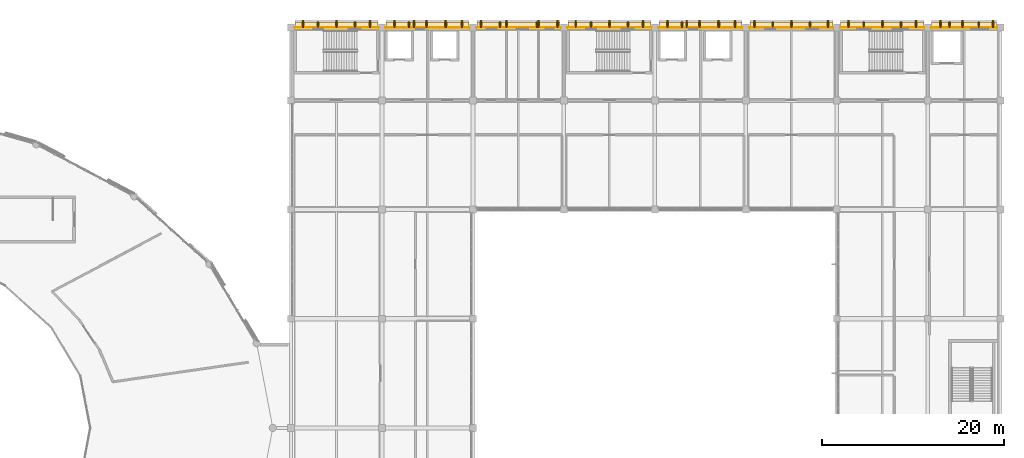
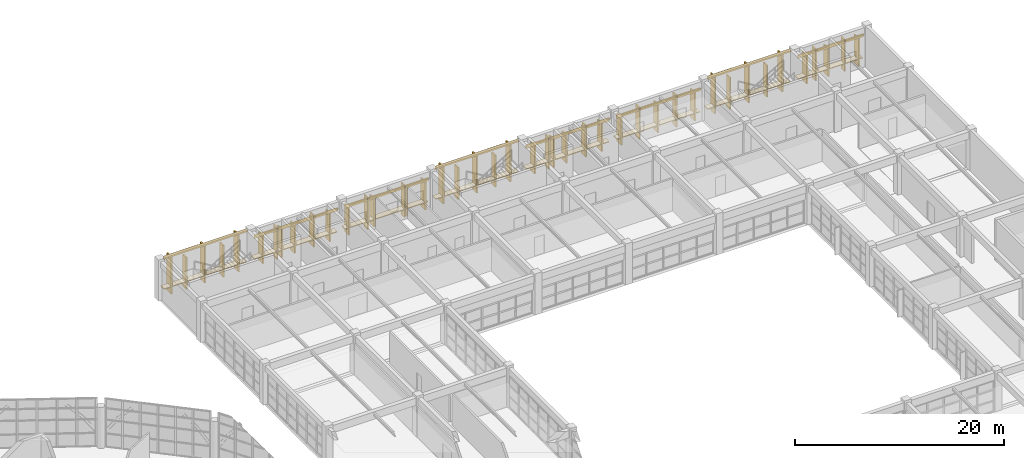
# One storey, part 109 of 109: 45 coverings, 16 shading devices.
"""IFC4 building model written with IfcOpenShell, lengths in metres."""

from ifc_helpers import new_model, si_unit, direction, frame, frame_2d, origin, origin_2d, place, context, subcontext, project, spatial, rectangle, extrude, material, layer, layer_set, type_object, element, save


model = new_model("IFC4")

# Units and contexts
model_context = context("Model", 3, precision=1e-05, world=origin(), true_north=direction((0.0, 1.0)))
body_context = subcontext(model_context, "Body", "Model", "MODEL_VIEW")
ifc_project = project(units=[si_unit("LENGTHUNIT", "METRE"), si_unit("AREAUNIT", "SQUARE_METRE"), si_unit("VOLUMEUNIT", "CUBIC_METRE"), si_unit("PLANEANGLEUNIT", "RADIAN"), si_unit("MASSUNIT", "GRAM", prefix="KILO")], contexts=[model_context])

# Site, building, storey
site_placement = place(None, origin())
site = spatial("IfcSite", under=ifc_project, at=site_placement, CompositionType="ELEMENT")
building_placement = place(site_placement, origin())
building = spatial("IfcBuilding", under=site, at=building_placement, Name="Kivolera Central Railway Station", CompositionType="ELEMENT")
storey_placement = place(building_placement, frame((0.0, 0.0, 9.60009765625)))
storey = spatial("IfcBuildingStorey", under=building, at=storey_placement, Name="L02", CompositionType="ELEMENT", Elevation=9.60009765625)

# Shading devices
ifc_material_1 = material(Name="Precast concrete C40/50", Category="concrete")
shading_device_type = type_object("IfcShadingDeviceType", Name="BS-FIN-L02", PredefinedType="USERDEFINED", material=ifc_material_1)
for number, where, z_axis, x_axis, name in (
    (1, (120.962890625, 134.33203125, 0.0), (0.0, 0.0, 1.0), (1.0, 0.0, 0.0), "L02 North Brise-Soleil Fin 1.1"),
    (2, (125.037109375, 134.33203125, 0.0), (0.0, 0.0, 1.0), (1.0, 0.0, 0.0), "L02 North Brise-Soleil Fin 1.2"),
    (3, (130.962890625, 134.33203125, 0.0), (0.0, 0.0, 1.0), (1.0, 0.0, 0.0), "L02 North Brise-Soleil Fin 2.1"),
    (4, (135.037109375, 134.33203125, 0.0), (0.0, 0.0, 1.0), (1.0, 0.0, 0.0), "L02 North Brise-Soleil Fin 2.2"),
    (5, (140.962890625, 134.33203125, 0.0), (0.0, 0.0, 1.0), (1.0, 0.0, 0.0), "L02 North Brise-Soleil Fin 3.1"),
    (6, (145.037109375, 134.33203125, 0.0), (0.0, 0.0, 1.0), (1.0, 0.0, 0.0), "L02 North Brise-Soleil Fin 3.2"),
    (7, (150.962890625, 134.33203125, 0.0), (0.0, 0.0, 1.0), (1.0, 0.0, 0.0), "L02 North Brise-Soleil Fin 4.1"),
    (8, (155.037109375, 134.33203125, 0.0), (0.0, 0.0, 1.0), (1.0, 0.0, 0.0), "L02 North Brise-Soleil Fin 4.2"),
    (9, (160.962890625, 134.33203125, 0.0), (0.0, 0.0, 1.0), (1.0, 0.0, 0.0), "L02 North Brise-Soleil Fin 5.1"),
    (10, (165.037109375, 134.33203125, 0.0), (0.0, 0.0, 1.0), (1.0, 0.0, 0.0), "L02 North Brise-Soleil Fin 5.2"),
    (11, (170.962890625, 134.33203125, 0.0), (0.0, 0.0, 1.0), (1.0, 0.0, 0.0), "L02 North Brise-Soleil Fin 6.1"),
    (12, (175.037109375, 134.33203125, 0.0), (0.0, 0.0, 1.0), (1.0, 0.0, 0.0), "L02 North Brise-Soleil Fin 6.2"),
    (13, (180.962890625, 134.33203125, 0.0), (0.0, 0.0, 1.0), (1.0, 0.0, 0.0), "L02 North Brise-Soleil Fin 7.1"),
    (14, (185.037109375, 134.33203125, 0.0), (0.0, 0.0, 1.0), (1.0, 0.0, 0.0), "L02 North Brise-Soleil Fin 7.2"),
    (15, (190.403076171875, 134.33203125, 0.0), (0.0, 0.0, 1.0), (1.0, 0.0, 0.0), "L02 North Brise-Soleil Fin 8.1"),
    (16, (193.596923828125, 134.33203125, 0.0), (0.0, 0.0, 1.0), (1.0, 0.0, 0.0), "L02 North Brise-Soleil Fin 8.2"),
):
    element("IfcShadingDevice", number, at=place(storey_placement, frame(where, z_axis=z_axis, x_axis=x_axis)), inside=storey, type_object=shading_device_type, Name=name, ObjectType="FIN", PredefinedType="USERDEFINED", context=body_context, shape_type="SweptSolid", body=[
        extrude(rectangle(XDim=0.14990234375, YDim=0.679931640625, at=origin_2d()), origin(), (0.0, 0.0, 1.0), 3.699951171875),
    ])

# Coverings
ifc_layer_1 = layer(ifc_material_1, 0.090087890625, Name="Precast concrete C40/50")
ifc_layer_set_1 = layer_set([ifc_layer_1], Name="Precast concrete C40/50")
covering_type_1 = type_object("IfcCoveringType", Name="COV-CLAUSTRA-90", PredefinedType="CLADDING", material=ifc_layer_set_1)
for number, where, z_axis, x_axis, name in (
    (17, (123.0, 134.31298828125, 0.85498046875), (0.0, 0.0, 1.0), (1.0, 0.0, 0.0), "L02 North Precast Egg-Crate Sill Shelf 1"),
    (18, (133.0, 134.31298828125, 0.85498046875), (0.0, 0.0, 1.0), (1.0, 0.0, 0.0), "L02 North Precast Egg-Crate Sill Shelf 2"),
    (19, (143.0, 134.31298828125, 0.85498046875), (0.0, 0.0, 1.0), (1.0, 0.0, 0.0), "L02 North Precast Egg-Crate Sill Shelf 3"),
    (20, (153.0, 134.31298828125, 0.85498046875), (0.0, 0.0, 1.0), (1.0, 0.0, 0.0), "L02 North Precast Egg-Crate Sill Shelf 4"),
    (21, (163.0, 134.31298828125, 0.85498046875), (0.0, 0.0, 1.0), (1.0, 0.0, 0.0), "L02 North Precast Egg-Crate Sill Shelf 5"),
    (22, (173.0, 134.31298828125, 0.85498046875), (0.0, 0.0, 1.0), (1.0, 0.0, 0.0), "L02 North Precast Egg-Crate Sill Shelf 6"),
    (23, (183.0, 134.31298828125, 0.85498046875), (0.0, 0.0, 1.0), (1.0, 0.0, 0.0), "L02 North Precast Egg-Crate Sill Shelf 7"),
):
    element("IfcCovering", number, at=place(storey_placement, frame(where, z_axis=z_axis, x_axis=x_axis)), inside=storey, type_object=covering_type_1, Name=name, PredefinedType="CLADDING", context=body_context, shape_type="SweptSolid", body=[
        extrude(rectangle(XDim=9.139892578125, YDim=0.64990234375, at=origin_2d()), origin(), (0.0, 0.0, 1.0), 0.090087890625),
    ])
covering_1_placement = place(storey_placement, frame((192.0, 134.31298828125, 0.85498046875), z_axis=(0.0, 0.0, 1.0), x_axis=(1.0, 0.0, 0.0)))
element("IfcCovering", 24, at=covering_1_placement, inside=storey, type_object=covering_type_1, Name="L02 North Precast Egg-Crate Sill Shelf 8", PredefinedType="CLADDING", context=body_context, shape_type="SweptSolid", body=[
    extrude(rectangle(XDim=7.139892578125, YDim=0.64990234375, at=origin_2d()), origin(), (0.0, 0.0, 1.0), 0.090087890625),
])
ifc_material_2 = material(Name="Swahili coral limestone", Category="masonry")
ifc_layer_2 = layer(ifc_material_2, 0.159912109375, Name="Swahili coral limestone")
ifc_layer_set_2 = layer_set([ifc_layer_2], Name="Swahili coral limestone")
covering_type_2 = type_object("IfcCoveringType", Name="COV-EGGFIN-160", PredefinedType="CLADDING", material=ifc_layer_set_2)
for number, where, z_axis, x_axis, name in (
    (25, (119.300048828125, 134.4130859375, 0.0400390625), (0.0, 0.0, 1.0), (1.0, 0.0, 0.0), "L02 North Afro-Modernist Coral-Stone Sun-Fin 1.1"),
    (26, (123.0, 134.4130859375, 0.0400390625), (0.0, 0.0, 1.0), (1.0, 0.0, 0.0), "L02 North Afro-Modernist Coral-Stone Sun-Fin 1.2"),
    (27, (126.699951171875, 134.4130859375, 0.0400390625), (0.0, 0.0, 1.0), (1.0, 0.0, 0.0), "L02 North Afro-Modernist Coral-Stone Sun-Fin 1.3"),
):
    element("IfcCovering", number, at=place(storey_placement, frame(where, z_axis=z_axis, x_axis=x_axis)), inside=storey, type_object=covering_type_2, Name=name, PredefinedType="CLADDING", context=body_context, shape_type="SweptSolid", body=[
        extrude(rectangle(XDim=0.159912109375, YDim=0.85009765625, at=origin_2d()), origin(), (0.0, 0.0, 1.0), 4.320068359375),
    ])
for number, where, z_axis, x_axis, name in (
    (28, (129.39990234375, 134.4130859375, 0.0400390625), (0.0, 0.0, 1.0), (1.0, 0.0, 0.0), "L02 North Afro-Modernist Coral-Stone Sun-Fin 2.1"),
    (29, (131.5, 134.4130859375, 0.0400390625), (0.0, 0.0, 1.0), (1.0, 0.0, 0.0), "L02 North Afro-Modernist Coral-Stone Sun-Fin 2.2"),
    (30, (132.89990234375, 134.4130859375, 0.0400390625), (0.0, 0.0, 1.0), (1.0, 0.0, 0.0), "L02 North Afro-Modernist Coral-Stone Sun-Fin 2.3"),
    (31, (135.0, 134.4130859375, 0.0400390625), (0.0, 0.0, 1.0), (1.0, 0.0, 0.0), "L02 North Afro-Modernist Coral-Stone Sun-Fin 2.4"),
    (32, (136.800048828125, 134.4130859375, 0.0400390625), (0.0, 0.0, 1.0), (1.0, 0.0, 0.0), "L02 North Afro-Modernist Coral-Stone Sun-Fin 2.5"),
    (33, (138.89990234375, 134.4130859375, 0.0400390625), (0.0, 0.0, 1.0), (1.0, 0.0, 0.0), "L02 North Afro-Modernist Coral-Stone Sun-Fin 3.1"),
    (34, (141.699951171875, 134.4130859375, 0.0400390625), (0.0, 0.0, 1.0), (1.0, 0.0, 0.0), "L02 North Afro-Modernist Coral-Stone Sun-Fin 3.2"),
    (35, (145.199951171875, 134.4130859375, 0.0400390625), (0.0, 0.0, 1.0), (1.0, 0.0, 0.0), "L02 North Afro-Modernist Coral-Stone Sun-Fin 3.3"),
    (36, (147.300048828125, 134.4130859375, 0.0400390625), (0.0, 0.0, 1.0), (1.0, 0.0, 0.0), "L02 North Afro-Modernist Coral-Stone Sun-Fin 3.4"),
):
    element("IfcCovering", number, at=place(storey_placement, frame(where, z_axis=z_axis, x_axis=x_axis)), inside=storey, type_object=covering_type_2, Name=name, PredefinedType="CLADDING", context=body_context, shape_type="SweptSolid", body=[
        extrude(rectangle(XDim=0.159912109375, YDim=0.85009765625, at=origin_2d()), origin(), (0.0, 0.0, 1.0), 3.278076171875),
    ])
for number, where, z_axis, x_axis, name in (
    (37, (149.300048828125, 134.4130859375, 0.0400390625), (0.0, 0.0, 1.0), (1.0, 0.0, 0.0), "L02 North Afro-Modernist Coral-Stone Sun-Fin 4.1"),
    (38, (153.0, 134.4130859375, 0.0400390625), (0.0, 0.0, 1.0), (1.0, 0.0, 0.0), "L02 North Afro-Modernist Coral-Stone Sun-Fin 4.2"),
    (39, (156.699951171875, 134.4130859375, 0.0400390625), (0.0, 0.0, 1.0), (1.0, 0.0, 0.0), "L02 North Afro-Modernist Coral-Stone Sun-Fin 4.3"),
):
    element("IfcCovering", number, at=place(storey_placement, frame(where, z_axis=z_axis, x_axis=x_axis)), inside=storey, type_object=covering_type_2, Name=name, PredefinedType="CLADDING", context=body_context, shape_type="SweptSolid", body=[
        extrude(rectangle(XDim=0.159912109375, YDim=0.85009765625, at=origin_2d()), origin(), (0.0, 0.0, 1.0), 4.320068359375),
    ])
for number, where, z_axis, x_axis, name in (
    (40, (159.39990234375, 134.4130859375, 0.0400390625), (0.0, 0.0, 1.0), (1.0, 0.0, 0.0), "L02 North Afro-Modernist Coral-Stone Sun-Fin 5.1"),
    (41, (161.5, 134.4130859375, 0.0400390625), (0.0, 0.0, 1.0), (1.0, 0.0, 0.0), "L02 North Afro-Modernist Coral-Stone Sun-Fin 5.2"),
    (42, (162.89990234375, 134.4130859375, 0.0400390625), (0.0, 0.0, 1.0), (1.0, 0.0, 0.0), "L02 North Afro-Modernist Coral-Stone Sun-Fin 5.3"),
    (43, (165.0, 134.4130859375, 0.0400390625), (0.0, 0.0, 1.0), (1.0, 0.0, 0.0), "L02 North Afro-Modernist Coral-Stone Sun-Fin 5.4"),
    (44, (166.800048828125, 134.4130859375, 0.0400390625), (0.0, 0.0, 1.0), (1.0, 0.0, 0.0), "L02 North Afro-Modernist Coral-Stone Sun-Fin 5.5"),
    (45, (168.949951171875, 134.4130859375, 0.0400390625), (0.0, 0.0, 1.0), (1.0, 0.0, 0.0), "L02 North Afro-Modernist Coral-Stone Sun-Fin 6.1"),
    (46, (173.0, 134.4130859375, 0.0400390625), (0.0, 0.0, 1.0), (1.0, 0.0, 0.0), "L02 North Afro-Modernist Coral-Stone Sun-Fin 6.2"),
    (47, (177.050048828125, 134.4130859375, 0.0400390625), (0.0, 0.0, 1.0), (1.0, 0.0, 0.0), "L02 North Afro-Modernist Coral-Stone Sun-Fin 6.3"),
):
    element("IfcCovering", number, at=place(storey_placement, frame(where, z_axis=z_axis, x_axis=x_axis)), inside=storey, type_object=covering_type_2, Name=name, PredefinedType="CLADDING", context=body_context, shape_type="SweptSolid", body=[
        extrude(rectangle(XDim=0.159912109375, YDim=0.85009765625, at=origin_2d()), origin(), (0.0, 0.0, 1.0), 3.278076171875),
    ])
for number, where, z_axis, x_axis, name in (
    (48, (179.300048828125, 134.4130859375, 0.0400390625), (0.0, 0.0, 1.0), (1.0, 0.0, 0.0), "L02 North Afro-Modernist Coral-Stone Sun-Fin 7.1"),
    (49, (183.0, 134.4130859375, 0.0400390625), (0.0, 0.0, 1.0), (1.0, 0.0, 0.0), "L02 North Afro-Modernist Coral-Stone Sun-Fin 7.2"),
    (50, (186.699951171875, 134.4130859375, 0.0400390625), (0.0, 0.0, 1.0), (1.0, 0.0, 0.0), "L02 North Afro-Modernist Coral-Stone Sun-Fin 7.3"),
):
    element("IfcCovering", number, at=place(storey_placement, frame(where, z_axis=z_axis, x_axis=x_axis)), inside=storey, type_object=covering_type_2, Name=name, PredefinedType="CLADDING", context=body_context, shape_type="SweptSolid", body=[
        extrude(rectangle(XDim=0.159912109375, YDim=0.85009765625, at=origin_2d()), origin(), (0.0, 0.0, 1.0), 4.320068359375),
    ])
for number, where, z_axis, x_axis, name in (
    (51, (189.39990234375, 134.4130859375, 0.0400390625), (0.0, 0.0, 1.0), (1.0, 0.0, 0.0), "L02 North Afro-Modernist Coral-Stone Sun-Fin 8.1"),
    (52, (191.800048828125, 134.4130859375, 0.0400390625), (0.0, 0.0, 1.0), (1.0, 0.0, 0.0), "L02 North Afro-Modernist Coral-Stone Sun-Fin 8.2"),
    (53, (195.14990234375, 134.4130859375, 0.0400390625), (0.0, 0.0, 1.0), (1.0, 0.0, 0.0), "L02 North Afro-Modernist Coral-Stone Sun-Fin 8.3"),
):
    element("IfcCovering", number, at=place(storey_placement, frame(where, z_axis=z_axis, x_axis=x_axis)), inside=storey, type_object=covering_type_2, Name=name, PredefinedType="CLADDING", context=body_context, shape_type="SweptSolid", body=[
        extrude(rectangle(XDim=0.159912109375, YDim=0.85009765625, at=origin_2d()), origin(), (0.0, 0.0, 1.0), 3.278076171875),
    ])
ifc_material_3 = material(Name="Terracotta clay tile", Category="masonry")
ifc_layer_3 = layer(ifc_material_3, 0.044921875, Name="Terracotta clay tile")
ifc_layer_set_3 = layer_set([ifc_layer_3], Name="Terracotta clay tile")
covering_type_3 = type_object("IfcCoveringType", Name="COV-TERRACOTTA-45", PredefinedType="CLADDING", material=ifc_layer_set_3)
covering_2_placement = place(storey_placement, frame((118.3701171875, 134.02001953125, 4.369873046875), z_axis=(0.0, 0.0, 1.0), x_axis=(1.0, 0.0, 0.0)))
element("IfcCovering", 54, at=covering_2_placement, inside=storey, type_object=covering_type_3, Name="L02 North Terracotta Spandrel 1", PredefinedType="CLADDING", context=body_context, shape_type="SweptSolid", body=[
    extrude(rectangle(XDim=9.259765625, YDim=0.044921875, at=frame_2d((4.6298828125, 0.0))), origin(), (0.0, 0.0, 1.0), 0.400146484375),
])
for number, where, z_axis, x_axis, name in (
    (55, (128.3701171875, 134.02001953125, 3.327880859375), (0.0, 0.0, 1.0), (1.0, 0.0, 0.0), "L02 North Terracotta Spandrel 2"),
    (56, (138.3701171875, 134.02001953125, 3.327880859375), (0.0, 0.0, 1.0), (1.0, 0.0, 0.0), "L02 North Terracotta Spandrel 3"),
):
    element("IfcCovering", number, at=place(storey_placement, frame(where, z_axis=z_axis, x_axis=x_axis)), inside=storey, type_object=covering_type_3, Name=name, PredefinedType="CLADDING", context=body_context, shape_type="SweptSolid", body=[
        extrude(rectangle(XDim=9.259765625, YDim=0.044921875, at=frame_2d((4.6298828125, 0.0))), origin(), (0.0, 0.0, 1.0), 0.39990234375),
    ])
covering_3_placement = place(storey_placement, frame((148.3701171875, 134.02001953125, 4.369873046875), z_axis=(0.0, 0.0, 1.0), x_axis=(1.0, 0.0, 0.0)))
element("IfcCovering", 57, at=covering_3_placement, inside=storey, type_object=covering_type_3, Name="L02 North Terracotta Spandrel 4", PredefinedType="CLADDING", context=body_context, shape_type="SweptSolid", body=[
    extrude(rectangle(XDim=9.259765625, YDim=0.044921875, at=frame_2d((4.6298828125, 0.0))), origin(), (0.0, 0.0, 1.0), 0.400146484375),
])
for number, where, z_axis, x_axis, name in (
    (58, (158.3701171875, 134.02001953125, 3.327880859375), (0.0, 0.0, 1.0), (1.0, 0.0, 0.0), "L02 North Terracotta Spandrel 5"),
    (59, (168.3701171875, 134.02001953125, 3.327880859375), (0.0, 0.0, 1.0), (1.0, 0.0, 0.0), "L02 North Terracotta Spandrel 6"),
):
    element("IfcCovering", number, at=place(storey_placement, frame(where, z_axis=z_axis, x_axis=x_axis)), inside=storey, type_object=covering_type_3, Name=name, PredefinedType="CLADDING", context=body_context, shape_type="SweptSolid", body=[
        extrude(rectangle(XDim=9.259765625, YDim=0.044921875, at=frame_2d((4.6298828125, 0.0))), origin(), (0.0, 0.0, 1.0), 0.39990234375),
    ])
covering_4_placement = place(storey_placement, frame((178.3701171875, 134.02001953125, 4.369873046875), z_axis=(0.0, 0.0, 1.0), x_axis=(1.0, 0.0, 0.0)))
element("IfcCovering", 60, at=covering_4_placement, inside=storey, type_object=covering_type_3, Name="L02 North Terracotta Spandrel 7", PredefinedType="CLADDING", context=body_context, shape_type="SweptSolid", body=[
    extrude(rectangle(XDim=9.259765625, YDim=0.044921875, at=frame_2d((4.6298828125, 0.0))), origin(), (0.0, 0.0, 1.0), 0.400146484375),
])
covering_5_placement = place(storey_placement, frame((188.3701171875, 134.02001953125, 3.327880859375), z_axis=(0.0, 0.0, 1.0), x_axis=(1.0, 0.0, 0.0)))
element("IfcCovering", 61, at=covering_5_placement, inside=storey, type_object=covering_type_3, Name="L02 North Terracotta Spandrel 8", PredefinedType="CLADDING", context=body_context, shape_type="SweptSolid", body=[
    extrude(rectangle(XDim=7.259765625, YDim=0.044921875, at=frame_2d((3.6298828125, 0.0))), origin(), (0.0, 0.0, 1.0), 0.39990234375),
])

save(model, "model.ifc")
